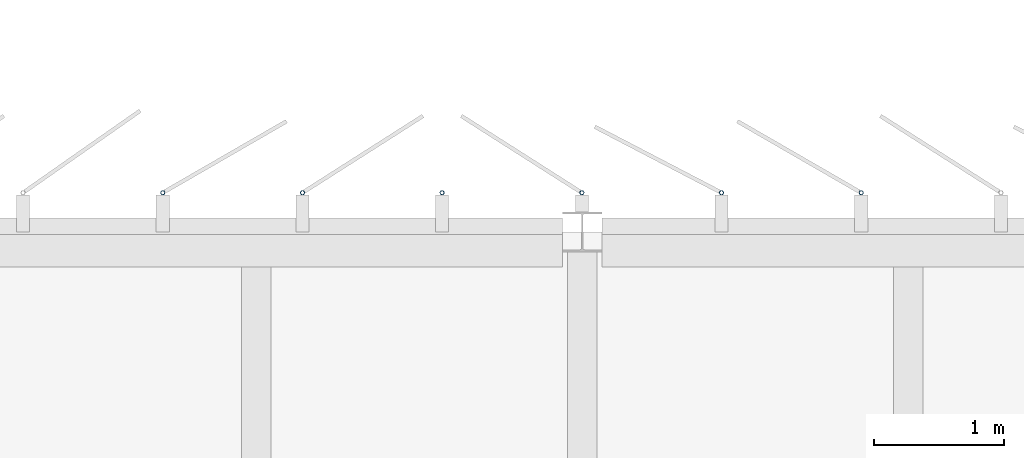
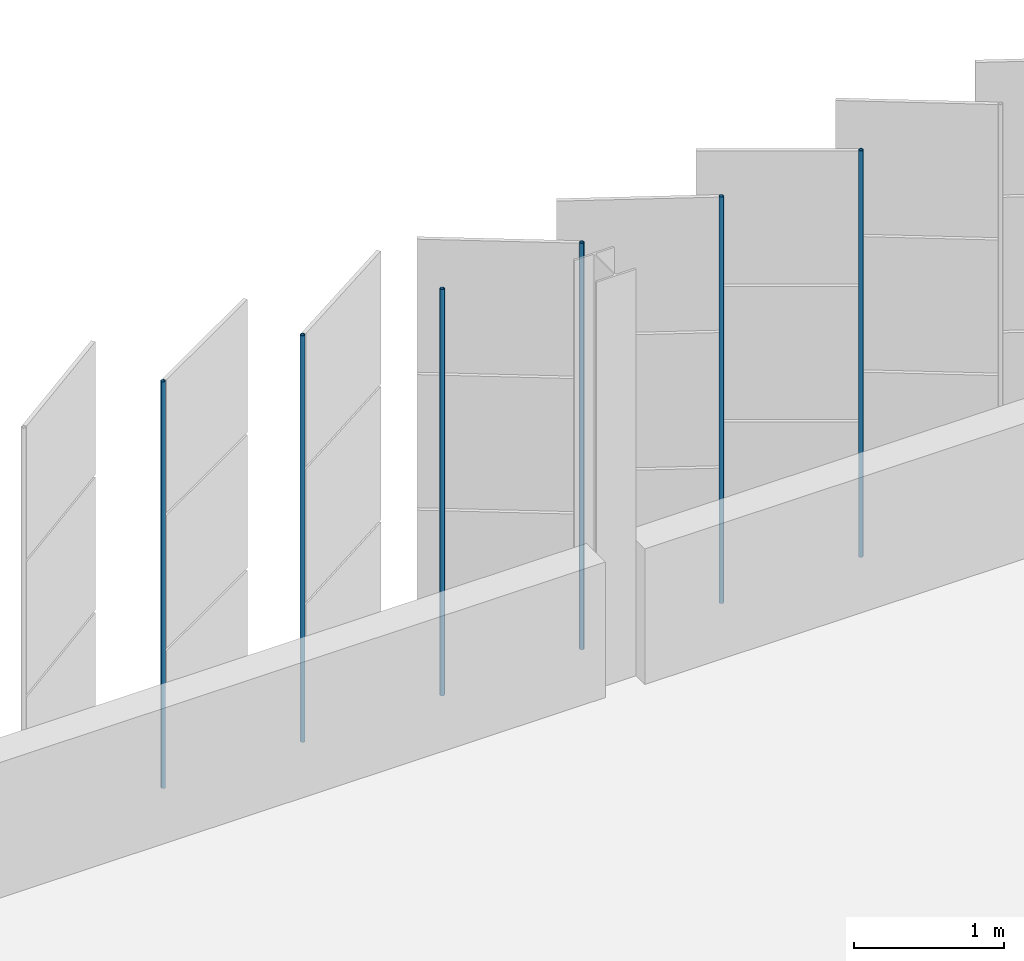
# One storey, part 149 of 199: 6 discrete accessories.
"""IFC4 building model written with IfcOpenShell, lengths in metres."""

from ifc_helpers import new_model, si_unit, direction, frame, origin, origin_2d, place, context, subcontext, project, spatial, hollow_circle, extrude, material, material_profile, profile_set, type_object, element, save


model = new_model("IFC4")

# Units and contexts
model_context = context("Model", 3, precision=1e-05, world=origin(), true_north=direction((0.0, 1.0)))
body_context = subcontext(model_context, "Body", "Model", "MODEL_VIEW")
ifc_project = project(units=[si_unit("LENGTHUNIT", "METRE"), si_unit("AREAUNIT", "SQUARE_METRE"), si_unit("VOLUMEUNIT", "CUBIC_METRE"), si_unit("PLANEANGLEUNIT", "RADIAN"), si_unit("MASSUNIT", "GRAM", prefix="KILO")], contexts=[model_context])

# Site, building, storey
site_placement = place(None, origin())
site = spatial("IfcSite", under=ifc_project, at=site_placement, CompositionType="ELEMENT")
building_placement = place(site_placement, origin())
building = spatial("IfcBuilding", under=site, at=building_placement, Name="Parallax Yard Mobility Hub", CompositionType="ELEMENT")
storey_placement = place(building_placement, frame((0.0, 0.0, 9.89990234375)))
storey = spatial("IfcBuildingStorey", under=building, at=storey_placement, Name="L03", CompositionType="ELEMENT", Elevation=9.89990234375)

# Discrete accessories
ifc_material = material(Name="Steel ASTM A500 Gr C, hot-dip galvanised", Category="steel")
ifc_material_profile = material_profile(ifc_material, hollow_circle(Radius=0.016845703125, WallThickness=0.003173828125, at=origin_2d()), Name="CHS 33.7x3.2")
ifc_profile_set = profile_set([ifc_material_profile], Name="Steel ASTM A500 Gr C, hot-dip galvanised")
discrete_accessory_type = type_object("IfcDiscreteAccessoryType", Name="Hinge post CHS 33.7x3.2", PredefinedType="BRACKET", material=ifc_profile_set)
for number, where, z_axis, x_axis, name in (
    (1, (129.6396484375, 142.800048828125, 0.0), (0.0, 0.0, 1.0), (1.0, 0.0, 0.0), "Hinge post bay 56.6 level L03"),
    (2, (128.568115234375, 142.800048828125, 0.0), (0.0, 0.0, 1.0), (1.0, 0.0, 0.0), "Hinge post bay 56.7 level L03"),
    (3, (127.49658203125, 142.800048828125, 0.0), (0.0, 0.0, 1.0), (1.0, 0.0, 0.0), "Hinge post bay 57.1 level L03"),
    (4, (126.425048828125, 142.800048828125, 0.0), (0.0, 0.0, 1.0), (1.0, 0.0, 0.0), "Hinge post bay 57.2 level L03"),
    (5, (125.353515625, 142.800048828125, 0.0), (0.0, 0.0, 1.0), (1.0, 0.0, 0.0), "Hinge post bay 57.3 level L03"),
    (6, (124.281982421875, 142.800048828125, 0.0), (0.0, 0.0, 1.0), (1.0, 0.0, 0.0), "Hinge post bay 57.4 level L03"),
):
    element("IfcDiscreteAccessory", number, at=place(storey_placement, frame(where, z_axis=z_axis, x_axis=x_axis)), inside=storey, type_object=discrete_accessory_type, Name=name, PredefinedType="BRACKET", context=body_context, shape_type="SweptSolid", body=[
        extrude(hollow_circle(Radius=0.016845703125, WallThickness=0.003173828125, at=origin_2d()), origin(), (0.0, 0.0, 1.0), 3.300048828125),
    ])

save(model, "model.ifc")
